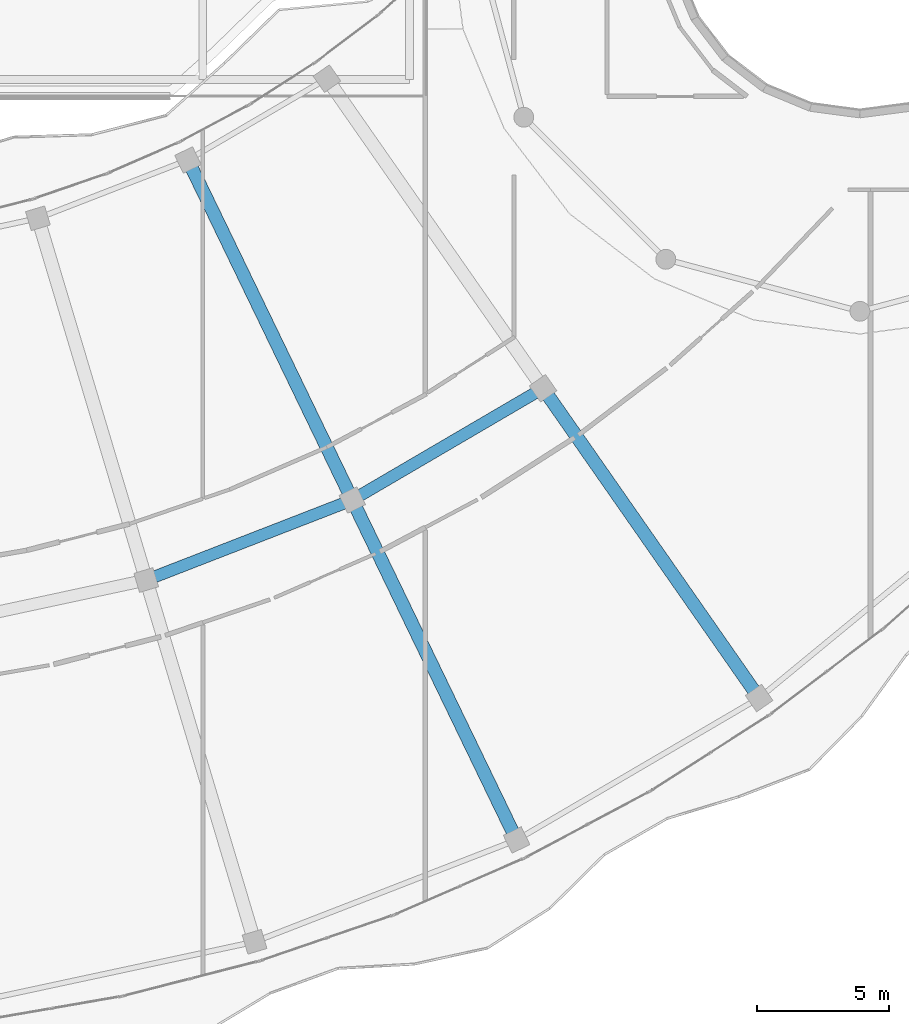
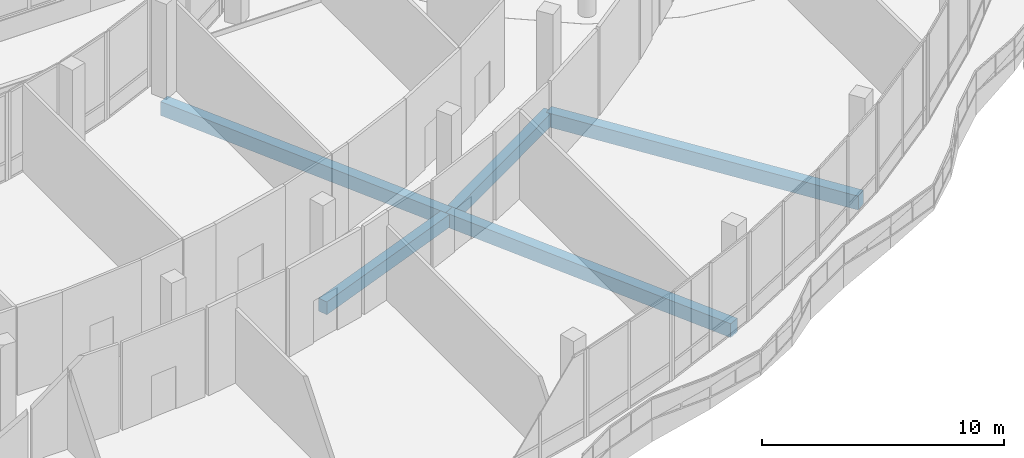
# One storey, part 49 of 168: 5 beams.
"""IFC4 building model written with IfcOpenShell, lengths in metres."""

from ifc_helpers import new_model, si_unit, direction, frame, origin, origin_2d, place, context, subcontext, project, spatial, rectangle, extrude, material, material_profile, profile_set, type_object, element, save


model = new_model("IFC4")

# Units and contexts
model_context = context("Model", 3, precision=1e-05, world=origin(), true_north=direction((0.0, 1.0)))
body_context = subcontext(model_context, "Body", "Model", "MODEL_VIEW")
ifc_project = project(units=[si_unit("LENGTHUNIT", "METRE"), si_unit("AREAUNIT", "SQUARE_METRE"), si_unit("VOLUMEUNIT", "CUBIC_METRE"), si_unit("PLANEANGLEUNIT", "RADIAN"), si_unit("MASSUNIT", "GRAM", prefix="KILO")], contexts=[model_context])

# Site, building, storey
site_placement = place(None, origin())
site = spatial("IfcSite", under=ifc_project, at=site_placement, CompositionType="ELEMENT")
building_placement = place(site_placement, origin())
building = spatial("IfcBuilding", under=site, at=building_placement, Name="Selatvlak General Hospital", CompositionType="ELEMENT")
storey_placement = place(building_placement, frame((0.0, 0.0, 5.39990234375)))
storey = spatial("IfcBuildingStorey", under=building, at=storey_placement, Name="L01", CompositionType="ELEMENT", Elevation=5.39990234375)

# Beams
ifc_material = material(Name="Concrete C40/50", Category="concrete")
ifc_material_profile_1 = material_profile(ifc_material, rectangle(XDim=0.5, YDim=0.699951171875, at=origin_2d()), Name="RC-BM 500x700")
ifc_profile_set_1 = profile_set([ifc_material_profile_1], Name="Concrete C40/50")
beam_type_1 = type_object("IfcBeamType", Name="BM-G03", PredefinedType="BEAM", material=ifc_profile_set_1)
for number, where, z_axis, x_axis, name in (
    (1, (72.639892578125, 45.06005859375, -0.669921875), (0.435222358934, -0.900322996643, 0.0), (0.900322996643, 0.435222358934, 0.0), "Beam BMR-L01-0729"),
    (2, (78.842041015625, 32.22998046875, -0.669921875), (0.435208471864, -0.900329709616, 0.0), (0.900329709616, 0.435208471864, 0.0), "Beam BMR-L01-0730"),
    (3, (86.041015625, 36.444091796875, -0.669921875), (0.572196870903, -0.820116297198, 0.0), (0.820116297198, 0.572196870903, 0.0), "Beam BMR-L01-0732"),
):
    element("IfcBeam", number, at=place(storey_placement, frame(where, z_axis=z_axis, x_axis=x_axis)), inside=storey, type_object=beam_type_1, Name=name, PredefinedType="BEAM", context=body_context, shape_type="SweptSolid", body=[
        extrude(rectangle(XDim=0.5, YDim=0.699951171875, at=origin_2d()), origin(), (0.0, 0.0, 1.0), 14.25048828125),
    ])
ifc_material_profile_2 = material_profile(ifc_material, rectangle(XDim=0.449951171875, YDim=0.64990234375, at=origin_2d()), Name="RC-BM 450x650")
ifc_profile_set_2 = profile_set([ifc_material_profile_2], Name="Concrete C40/50")
beam_type_2 = type_object("IfcBeamType", Name="BM-G04", PredefinedType="BEAM", material=ifc_profile_set_2)
beam_1_placement = place(storey_placement, frame((71.06689453125, 29.208984375, -0.64501953125), z_axis=(0.932112837016, 0.362167998406, 0.0), x_axis=(-0.362167998406, 0.932112837016, 0.0)))
element("IfcBeam", 4, at=beam_1_placement, inside=storey, type_object=beam_type_2, Name="Beam BMR-L01-0749", PredefinedType="BEAM", context=body_context, shape_type="SweptSolid", body=[
    extrude(rectangle(XDim=0.449951171875, YDim=0.64990234375, at=origin_2d()), origin(), (0.0, 0.0, 1.0), 8.34130859375),
])
beam_2_placement = place(storey_placement, frame((78.842041015625, 32.22998046875, -0.64501953125), z_axis=(0.863010423481, 0.505186113193, 0.0), x_axis=(-0.505186113193, 0.863010423481, 0.0)))
element("IfcBeam", 5, at=beam_2_placement, inside=storey, type_object=beam_type_2, Name="Beam BMR-L01-0750", PredefinedType="BEAM", context=body_context, shape_type="SweptSolid", body=[
    extrude(rectangle(XDim=0.449951171875, YDim=0.64990234375, at=origin_2d()), origin(), (0.0, 0.0, 1.0), 8.341796875),
])

save(model, "model.ifc")
